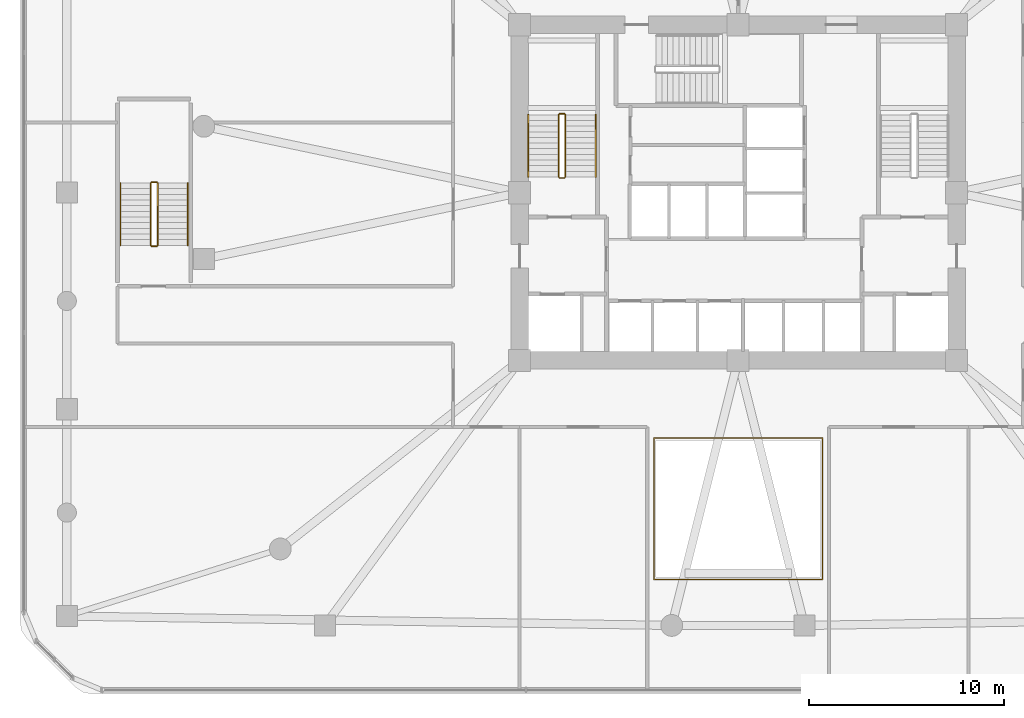
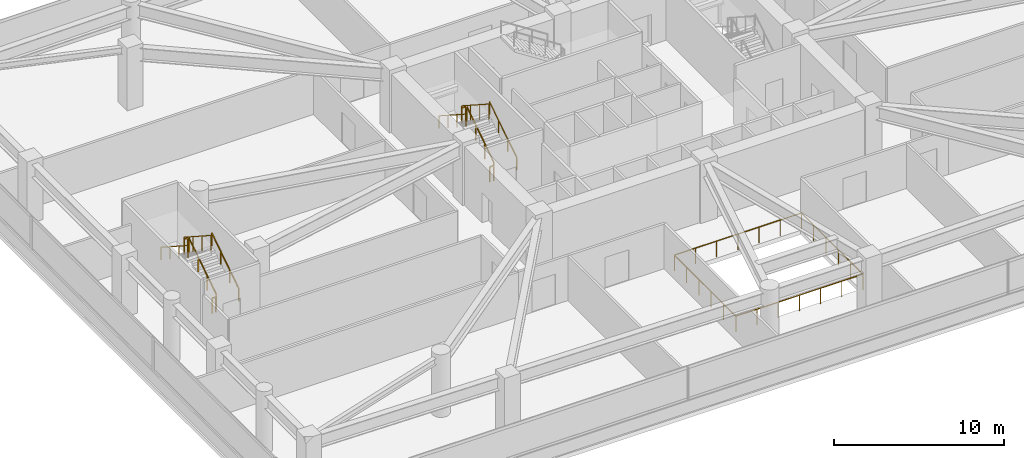
# One storey, part 20 of 21: 13 railings.
"""IFC4 building model written with IfcOpenShell, lengths in metres."""

from ifc_helpers import new_model, si_unit, derived_unit, direction, frame, origin, origin_2d, place, context, subcontext, project, spatial, rectangle, extrude, material, type_object, element, save


model = new_model("IFC4")

# Units and contexts
model_context = context("Model", 3, precision=1e-05, world=origin(), true_north=direction((0.0, 1.0)))
body_context = subcontext(model_context, "Body", "Model", "MODEL_VIEW")
ifc_project = project(units=[si_unit("LENGTHUNIT", "METRE"), si_unit("AREAUNIT", "SQUARE_METRE"), si_unit("VOLUMEUNIT", "CUBIC_METRE"), si_unit("PLANEANGLEUNIT", "RADIAN"), si_unit("MASSUNIT", "GRAM", prefix="KILO"), derived_unit("THERMALTRANSMITTANCEUNIT", [(si_unit("POWERUNIT", "WATT"), 1), (si_unit("LENGTHUNIT", "METRE"), -2), (si_unit("THERMODYNAMICTEMPERATUREUNIT", "KELVIN"), -1)])], contexts=[model_context])

# Site, building, storey
site_placement = place(None, origin())
site = spatial("IfcSite", under=ifc_project, at=site_placement, CompositionType="ELEMENT")
building_placement = place(site_placement, origin())
building = spatial("IfcBuilding", under=site, at=building_placement, Name="Koralith Skygarden Medical Center", CompositionType="ELEMENT")
storey_placement = place(building_placement, frame((0.0, 0.0, 5.39990234375)))
storey = spatial("IfcBuildingStorey", under=building, at=storey_placement, Name="L01", CompositionType="ELEMENT", Elevation=5.39990234375)

# Railings
ifc_material_1 = material(Name="Clear Laminated Glass", Category="glass")
railing_type_1 = type_object("IfcRailingType", Name="Atrium & Sky-Lobby Glass Balustrade 1150", PredefinedType="BALUSTRADE", material=ifc_material_1)
railing_1_placement = place(storey_placement, frame((32.679931640625, 6.080078125, 0.0)))
element("IfcRailing", 1, at=railing_1_placement, inside=storey, type_object=railing_type_1, Name="L01 Entrance Atrium Void Glass Balustrade", PredefinedType="BALUSTRADE", context=body_context, shape_type="SweptSolid", body=[
    extrude(rectangle(XDim=0.050048828125, YDim=0.050048828125, at=origin_2d()), frame((0.001953125, 0.0, 1.125), z_axis=(1.0, 0.0, 0.0), x_axis=(0.0, 1.0, 0.0)), (0.0, 0.0, 1.0), 8.63623046875),
    extrude(rectangle(XDim=0.050048828125, YDim=0.050048828125, at=origin_2d()), frame((8.64013671875, 0.001953125, 1.125), z_axis=(0.0, 1.0, 0.0), x_axis=(-1.0, 0.0, 0.0)), (0.0, 0.0, 1.0), 7.236083984375),
    extrude(rectangle(XDim=0.050048828125, YDim=0.050048828125, at=origin_2d()), frame((8.63818359375, 7.239990234375, 1.125), z_axis=(-1.0, 0.0, 0.0), x_axis=(0.0, -1.0, 0.0)), (0.0, 0.0, 1.0), 8.63623046875),
    extrude(rectangle(XDim=0.050048828125, YDim=0.050048828125, at=origin_2d()), frame((0.0, 7.238037109375, 1.125), z_axis=(0.0, -1.0, 0.0), x_axis=(1.0, 0.0, 0.0)), (0.0, 0.0, 1.0), 7.236083984375),
    extrude(rectangle(XDim=0.0419921875, YDim=0.0419921875, at=origin_2d()), origin(), (0.0, 0.0, 1.0), 1.097900390625),
    extrude(rectangle(XDim=0.0419921875, YDim=0.0419921875, at=origin_2d()), frame((1.43994140625, 0.0, 0.0)), (0.0, 0.0, 1.0), 1.097900390625),
    extrude(rectangle(XDim=0.0419921875, YDim=0.0419921875, at=origin_2d()), frame((2.880126953125, 0.0, 0.0)), (0.0, 0.0, 1.0), 1.097900390625),
    extrude(rectangle(XDim=0.0419921875, YDim=0.0419921875, at=origin_2d()), frame((4.320068359375, 0.0, 0.0)), (0.0, 0.0, 1.0), 1.097900390625),
    extrude(rectangle(XDim=0.0419921875, YDim=0.0419921875, at=origin_2d()), frame((5.760009765625, 0.0, 0.0)), (0.0, 0.0, 1.0), 1.097900390625),
    extrude(rectangle(XDim=0.0419921875, YDim=0.0419921875, at=origin_2d()), frame((7.2001953125, 0.0, 0.0)), (0.0, 0.0, 1.0), 1.097900390625),
    extrude(rectangle(XDim=0.0419921875, YDim=0.0419921875, at=origin_2d()), frame((8.64013671875, 0.0, 0.0)), (0.0, 0.0, 1.0), 1.097900390625),
    extrude(rectangle(XDim=0.0419921875, YDim=0.0419921875, at=origin_2d()), frame((8.64013671875, 1.447998046875, 0.0)), (0.0, 0.0, 1.0), 1.097900390625),
    extrude(rectangle(XDim=0.0419921875, YDim=0.0419921875, at=origin_2d()), frame((8.64013671875, 2.89599609375, 0.0)), (0.0, 0.0, 1.0), 1.097900390625),
    extrude(rectangle(XDim=0.0419921875, YDim=0.0419921875, at=origin_2d()), frame((8.64013671875, 4.343994140625, 0.0)), (0.0, 0.0, 1.0), 1.097900390625),
    extrude(rectangle(XDim=0.0419921875, YDim=0.0419921875, at=origin_2d()), frame((8.64013671875, 5.7919921875, 0.0)), (0.0, 0.0, 1.0), 1.097900390625),
    extrude(rectangle(XDim=0.0419921875, YDim=0.0419921875, at=origin_2d()), frame((8.64013671875, 7.239990234375, 0.0)), (0.0, 0.0, 1.0), 1.097900390625),
    extrude(rectangle(XDim=0.0419921875, YDim=0.0419921875, at=origin_2d()), frame((7.2001953125, 7.239990234375, 0.0)), (0.0, 0.0, 1.0), 1.097900390625),
    extrude(rectangle(XDim=0.0419921875, YDim=0.0419921875, at=origin_2d()), frame((5.760009765625, 7.239990234375, 0.0)), (0.0, 0.0, 1.0), 1.097900390625),
    extrude(rectangle(XDim=0.0419921875, YDim=0.0419921875, at=origin_2d()), frame((4.320068359375, 7.239990234375, 0.0)), (0.0, 0.0, 1.0), 1.097900390625),
    extrude(rectangle(XDim=0.0419921875, YDim=0.0419921875, at=origin_2d()), frame((2.880126953125, 7.239990234375, 0.0)), (0.0, 0.0, 1.0), 1.097900390625),
    extrude(rectangle(XDim=0.0419921875, YDim=0.0419921875, at=origin_2d()), frame((1.43994140625, 7.239990234375, 0.0)), (0.0, 0.0, 1.0), 1.097900390625),
    extrude(rectangle(XDim=0.0419921875, YDim=0.0419921875, at=origin_2d()), frame((0.0, 7.239990234375, 0.0)), (0.0, 0.0, 1.0), 1.097900390625),
    extrude(rectangle(XDim=0.0419921875, YDim=0.0419921875, at=origin_2d()), frame((0.0, 5.7919921875, 0.0)), (0.0, 0.0, 1.0), 1.097900390625),
    extrude(rectangle(XDim=0.0419921875, YDim=0.0419921875, at=origin_2d()), frame((0.0, 4.343994140625, 0.0)), (0.0, 0.0, 1.0), 1.097900390625),
    extrude(rectangle(XDim=0.0419921875, YDim=0.0419921875, at=origin_2d()), frame((0.0, 2.89599609375, 0.0)), (0.0, 0.0, 1.0), 1.097900390625),
    extrude(rectangle(XDim=0.0419921875, YDim=0.0419921875, at=origin_2d()), frame((0.0, 1.447998046875, 0.0)), (0.0, 0.0, 1.0), 1.097900390625),
])
ifc_material_2 = material(Name="Steel ASTM A500 Grade C", Category="steel")
railing_type_2 = type_object("IfcRailingType", Name="Stair Flight Tubular Handrail 920", PredefinedType="HANDRAIL", material=ifc_material_2)
railing_2_placement = place(storey_placement, frame((29.699951171875, 26.699951171875, 0.1875)))
element("IfcRailing", 2, at=railing_2_placement, inside=storey, type_object=railing_type_2, Name="L01 ST1 stair handrail 1", PredefinedType="HANDRAIL", context=body_context, shape_type="SweptSolid", body=[
    extrude(rectangle(XDim=0.050048828125, YDim=0.050048828125, at=origin_2d()), frame((0.0, 0.001708984375, 0.89599609375), z_axis=(0.0, 0.839759782654, 0.542958108362), x_axis=(-1.0, 0.0, 0.0)), (0.0, 0.0, 1.0), 3.794677734375),
    extrude(rectangle(XDim=0.0419921875, YDim=0.0419921875, at=origin_2d()), origin(), (0.0, 0.0, 1.0), 0.867919921875),
    extrude(rectangle(XDim=0.0419921875, YDim=0.0419921875, at=origin_2d()), frame((0.0, 1.063232421875, 0.6875)), (0.0, 0.0, 1.0), 0.867919921875),
    extrude(rectangle(XDim=0.0419921875, YDim=0.0419921875, at=origin_2d()), frame((0.0, 2.126708984375, 1.375)), (0.0, 0.0, 1.0), 0.867919921875),
    extrude(rectangle(XDim=0.0419921875, YDim=0.0419921875, at=origin_2d()), frame((0.0, 3.18994140625, 2.0625)), (0.0, 0.0, 1.0), 0.867919921875),
])
railing_3_placement = place(storey_placement, frame((26.25, 29.889892578125, 2.4375)))
element("IfcRailing", 3, at=railing_3_placement, inside=storey, type_object=railing_type_2, Name="L01 ST1 stair handrail 2", PredefinedType="HANDRAIL", context=body_context, shape_type="SweptSolid", body=[
    extrude(rectangle(XDim=0.050048828125, YDim=0.050048828125, at=origin_2d()), frame((0.0, -0.001708984375, 0.89599609375), z_axis=(0.0, -0.839759782654, 0.542958108362), x_axis=(1.0, 0.0, 0.0)), (0.0, 0.0, 1.0), 3.794677734375),
    extrude(rectangle(XDim=0.0419921875, YDim=0.0419921875, at=origin_2d()), origin(), (0.0, 0.0, 1.0), 0.867919921875),
    extrude(rectangle(XDim=0.0419921875, YDim=0.0419921875, at=origin_2d()), frame((0.0, -1.063232421875, 0.6875)), (0.0, 0.0, 1.0), 0.867919921875),
    extrude(rectangle(XDim=0.0419921875, YDim=0.0419921875, at=origin_2d()), frame((0.0, -2.126708984375, 1.375)), (0.0, 0.0, 1.0), 0.867919921875),
    extrude(rectangle(XDim=0.0419921875, YDim=0.0419921875, at=origin_2d()), frame((0.0, -3.18994140625, 2.0625)), (0.0, 0.0, 1.0), 0.867919921875),
])
railing_4_placement = place(storey_placement, frame((8.800048828125, 23.199951171875, 0.1875)))
element("IfcRailing", 4, at=railing_4_placement, inside=storey, type_object=railing_type_2, Name="L01 ST4 stair handrail 1", PredefinedType="HANDRAIL", context=body_context, shape_type="SweptSolid", body=[
    extrude(rectangle(XDim=0.050048828125, YDim=0.050048828125, at=origin_2d()), frame((0.0, 0.001708984375, 0.89599609375), z_axis=(0.0, 0.839759782654, 0.542958108362), x_axis=(-1.0, 0.0, 0.0)), (0.0, 0.0, 1.0), 3.794677734375),
    extrude(rectangle(XDim=0.0419921875, YDim=0.0419921875, at=origin_2d()), origin(), (0.0, 0.0, 1.0), 0.867919921875),
    extrude(rectangle(XDim=0.0419921875, YDim=0.0419921875, at=origin_2d()), frame((0.0, 1.063232421875, 0.6875)), (0.0, 0.0, 1.0), 0.867919921875),
    extrude(rectangle(XDim=0.0419921875, YDim=0.0419921875, at=origin_2d()), frame((0.0, 2.126708984375, 1.375)), (0.0, 0.0, 1.0), 0.867919921875),
    extrude(rectangle(XDim=0.0419921875, YDim=0.0419921875, at=origin_2d()), frame((0.0, 3.18994140625, 2.0625)), (0.0, 0.0, 1.0), 0.867919921875),
])
railing_5_placement = place(storey_placement, frame((5.35009765625, 26.389892578125, 2.4375)))
element("IfcRailing", 5, at=railing_5_placement, inside=storey, type_object=railing_type_2, Name="L01 ST4 stair handrail 2", PredefinedType="HANDRAIL", context=body_context, shape_type="SweptSolid", body=[
    extrude(rectangle(XDim=0.050048828125, YDim=0.050048828125, at=origin_2d()), frame((0.0, -0.001708984375, 0.89599609375), z_axis=(0.0, -0.839759782654, 0.542958108362), x_axis=(1.0, 0.0, 0.0)), (0.0, 0.0, 1.0), 3.794677734375),
    extrude(rectangle(XDim=0.0419921875, YDim=0.0419921875, at=origin_2d()), origin(), (0.0, 0.0, 1.0), 0.867919921875),
    extrude(rectangle(XDim=0.0419921875, YDim=0.0419921875, at=origin_2d()), frame((0.0, -1.063232421875, 0.6875)), (0.0, 0.0, 1.0), 0.867919921875),
    extrude(rectangle(XDim=0.0419921875, YDim=0.0419921875, at=origin_2d()), frame((0.0, -2.126708984375, 1.375)), (0.0, 0.0, 1.0), 0.867919921875),
    extrude(rectangle(XDim=0.0419921875, YDim=0.0419921875, at=origin_2d()), frame((0.0, -3.18994140625, 2.0625)), (0.0, 0.0, 1.0), 0.867919921875),
])
railing_type_3 = type_object("IfcRailingType", Name="Stair Well Safety Guardrail 1100", PredefinedType="GUARDRAIL", material=ifc_material_2)
railing_6_placement = place(storey_placement, frame((28.14990234375, 26.699951171875, 0.1875)))
element("IfcRailing", 6, at=railing_6_placement, inside=storey, type_object=railing_type_3, Name="L01 ST1 stair guard 1", PredefinedType="GUARDRAIL", context=body_context, shape_type="SweptSolid", body=[
    extrude(rectangle(XDim=0.050048828125, YDim=0.050048828125, at=origin_2d()), frame((0.0, 0.001708984375, 1.076171875), z_axis=(0.0, 0.839759782654, 0.542958108362), x_axis=(-1.0, 0.0, 0.0)), (0.0, 0.0, 1.0), 3.794677734375),
    extrude(rectangle(XDim=0.0419921875, YDim=0.0419921875, at=origin_2d()), origin(), (0.0, 0.0, 1.0), 1.048095703125),
    extrude(rectangle(XDim=0.0419921875, YDim=0.0419921875, at=origin_2d()), frame((0.0, 1.063232421875, 0.6875)), (0.0, 0.0, 1.0), 1.048095703125),
    extrude(rectangle(XDim=0.0419921875, YDim=0.0419921875, at=origin_2d()), frame((0.0, 2.126708984375, 1.375)), (0.0, 0.0, 1.0), 1.048095703125),
    extrude(rectangle(XDim=0.0419921875, YDim=0.0419921875, at=origin_2d()), frame((0.0, 3.18994140625, 2.0625)), (0.0, 0.0, 1.0), 1.048095703125),
])
railing_7_placement = place(storey_placement, frame((28.10009765625, 29.93994140625, 2.25)))
element("IfcRailing", 7, at=railing_7_placement, inside=storey, type_object=railing_type_3, Name="L01 ST1 stair guard 2", PredefinedType="GUARDRAIL", context=body_context, shape_type="SweptSolid", body=[
    extrude(rectangle(XDim=0.050048828125, YDim=0.050048828125, at=origin_2d()), frame((-0.001953125, 0.0, 1.0751953125), z_axis=(-1.0, 0.0, 0.0), x_axis=(0.0, -1.0, 0.0)), (0.0, 0.0, 1.0), 0.24609375),
    extrude(rectangle(XDim=0.0419921875, YDim=0.0419921875, at=origin_2d()), origin(), (0.0, 0.0, 1.0), 1.048095703125),
    extrude(rectangle(XDim=0.0419921875, YDim=0.0419921875, at=origin_2d()), frame((-0.25, 0.0, 0.0)), (0.0, 0.0, 1.0), 1.048095703125),
])
railing_8_placement = place(storey_placement, frame((27.800048828125, 29.889892578125, 2.4375)))
element("IfcRailing", 8, at=railing_8_placement, inside=storey, type_object=railing_type_3, Name="L01 ST1 stair guard 3", PredefinedType="GUARDRAIL", context=body_context, shape_type="SweptSolid", body=[
    extrude(rectangle(XDim=0.050048828125, YDim=0.050048828125, at=origin_2d()), frame((0.0, -0.001708984375, 1.076171875), z_axis=(0.0, -0.839759782654, 0.542958108362), x_axis=(1.0, 0.0, 0.0)), (0.0, 0.0, 1.0), 3.794677734375),
    extrude(rectangle(XDim=0.0419921875, YDim=0.0419921875, at=origin_2d()), origin(), (0.0, 0.0, 1.0), 1.048095703125),
    extrude(rectangle(XDim=0.0419921875, YDim=0.0419921875, at=origin_2d()), frame((0.0, -1.063232421875, 0.6875)), (0.0, 0.0, 1.0), 1.048095703125),
    extrude(rectangle(XDim=0.0419921875, YDim=0.0419921875, at=origin_2d()), frame((0.0, -2.126708984375, 1.375)), (0.0, 0.0, 1.0), 1.048095703125),
    extrude(rectangle(XDim=0.0419921875, YDim=0.0419921875, at=origin_2d()), frame((0.0, -3.18994140625, 2.0625)), (0.0, 0.0, 1.0), 1.048095703125),
])
railing_9_placement = place(storey_placement, frame((28.10009765625, 26.64990234375, 0.0)))
element("IfcRailing", 9, at=railing_9_placement, inside=storey, type_object=railing_type_3, Name="L01 ST1 stair guard 4", PredefinedType="GUARDRAIL", context=body_context, shape_type="SweptSolid", body=[
    extrude(rectangle(XDim=0.050048828125, YDim=0.050048828125, at=origin_2d()), frame((-0.001953125, 0.0, 1.0751953125), z_axis=(-1.0, 0.0, 0.0), x_axis=(0.0, -1.0, 0.0)), (0.0, 0.0, 1.0), 0.24609375),
    extrude(rectangle(XDim=0.0419921875, YDim=0.0419921875, at=origin_2d()), origin(), (0.0, 0.0, 1.0), 1.048095703125),
    extrude(rectangle(XDim=0.0419921875, YDim=0.0419921875, at=origin_2d()), frame((-0.25, 0.0, 0.0)), (0.0, 0.0, 1.0), 1.048095703125),
])
railing_10_placement = place(storey_placement, frame((7.25, 23.199951171875, 0.1875)))
element("IfcRailing", 10, at=railing_10_placement, inside=storey, type_object=railing_type_3, Name="L01 ST4 stair guard 1", PredefinedType="GUARDRAIL", context=body_context, shape_type="SweptSolid", body=[
    extrude(rectangle(XDim=0.050048828125, YDim=0.050048828125, at=origin_2d()), frame((0.0, 0.001708984375, 1.076171875), z_axis=(0.0, 0.839759782654, 0.542958108362), x_axis=(-1.0, 0.0, 0.0)), (0.0, 0.0, 1.0), 3.794677734375),
    extrude(rectangle(XDim=0.0419921875, YDim=0.0419921875, at=origin_2d()), origin(), (0.0, 0.0, 1.0), 1.048095703125),
    extrude(rectangle(XDim=0.0419921875, YDim=0.0419921875, at=origin_2d()), frame((0.0, 1.063232421875, 0.6875)), (0.0, 0.0, 1.0), 1.048095703125),
    extrude(rectangle(XDim=0.0419921875, YDim=0.0419921875, at=origin_2d()), frame((0.0, 2.126708984375, 1.375)), (0.0, 0.0, 1.0), 1.048095703125),
    extrude(rectangle(XDim=0.0419921875, YDim=0.0419921875, at=origin_2d()), frame((0.0, 3.18994140625, 2.0625)), (0.0, 0.0, 1.0), 1.048095703125),
])
railing_11_placement = place(storey_placement, frame((7.199951171875, 26.43994140625, 2.25)))
element("IfcRailing", 11, at=railing_11_placement, inside=storey, type_object=railing_type_3, Name="L01 ST4 stair guard 2", PredefinedType="GUARDRAIL", context=body_context, shape_type="SweptSolid", body=[
    extrude(rectangle(XDim=0.050048828125, YDim=0.050048828125, at=origin_2d()), frame((-0.001953125, 0.0, 1.0751953125), z_axis=(-1.0, 0.0, 0.0), x_axis=(0.0, -1.0, 0.0)), (0.0, 0.0, 1.0), 0.24609375),
    extrude(rectangle(XDim=0.0419921875, YDim=0.0419921875, at=origin_2d()), origin(), (0.0, 0.0, 1.0), 1.048095703125),
    extrude(rectangle(XDim=0.0419921875, YDim=0.0419921875, at=origin_2d()), frame((-0.25, 0.0, 0.0)), (0.0, 0.0, 1.0), 1.048095703125),
])
railing_12_placement = place(storey_placement, frame((6.89990234375, 26.389892578125, 2.4375)))
element("IfcRailing", 12, at=railing_12_placement, inside=storey, type_object=railing_type_3, Name="L01 ST4 stair guard 3", PredefinedType="GUARDRAIL", context=body_context, shape_type="SweptSolid", body=[
    extrude(rectangle(XDim=0.050048828125, YDim=0.050048828125, at=origin_2d()), frame((0.0, -0.001708984375, 1.076171875), z_axis=(0.0, -0.839759782654, 0.542958108362), x_axis=(1.0, 0.0, 0.0)), (0.0, 0.0, 1.0), 3.794677734375),
    extrude(rectangle(XDim=0.0419921875, YDim=0.0419921875, at=origin_2d()), origin(), (0.0, 0.0, 1.0), 1.048095703125),
    extrude(rectangle(XDim=0.0419921875, YDim=0.0419921875, at=origin_2d()), frame((0.0, -1.063232421875, 0.6875)), (0.0, 0.0, 1.0), 1.048095703125),
    extrude(rectangle(XDim=0.0419921875, YDim=0.0419921875, at=origin_2d()), frame((0.0, -2.126708984375, 1.375)), (0.0, 0.0, 1.0), 1.048095703125),
    extrude(rectangle(XDim=0.0419921875, YDim=0.0419921875, at=origin_2d()), frame((0.0, -3.18994140625, 2.0625)), (0.0, 0.0, 1.0), 1.048095703125),
])
railing_13_placement = place(storey_placement, frame((7.199951171875, 23.14990234375, 0.0)))
element("IfcRailing", 13, at=railing_13_placement, inside=storey, type_object=railing_type_3, Name="L01 ST4 stair guard 4", PredefinedType="GUARDRAIL", context=body_context, shape_type="SweptSolid", body=[
    extrude(rectangle(XDim=0.050048828125, YDim=0.050048828125, at=origin_2d()), frame((-0.001953125, 0.0, 1.0751953125), z_axis=(-1.0, 0.0, 0.0), x_axis=(0.0, -1.0, 0.0)), (0.0, 0.0, 1.0), 0.24609375),
    extrude(rectangle(XDim=0.0419921875, YDim=0.0419921875, at=origin_2d()), origin(), (0.0, 0.0, 1.0), 1.048095703125),
    extrude(rectangle(XDim=0.0419921875, YDim=0.0419921875, at=origin_2d()), frame((-0.25, 0.0, 0.0)), (0.0, 0.0, 1.0), 1.048095703125),
])

save(model, "model.ifc")
